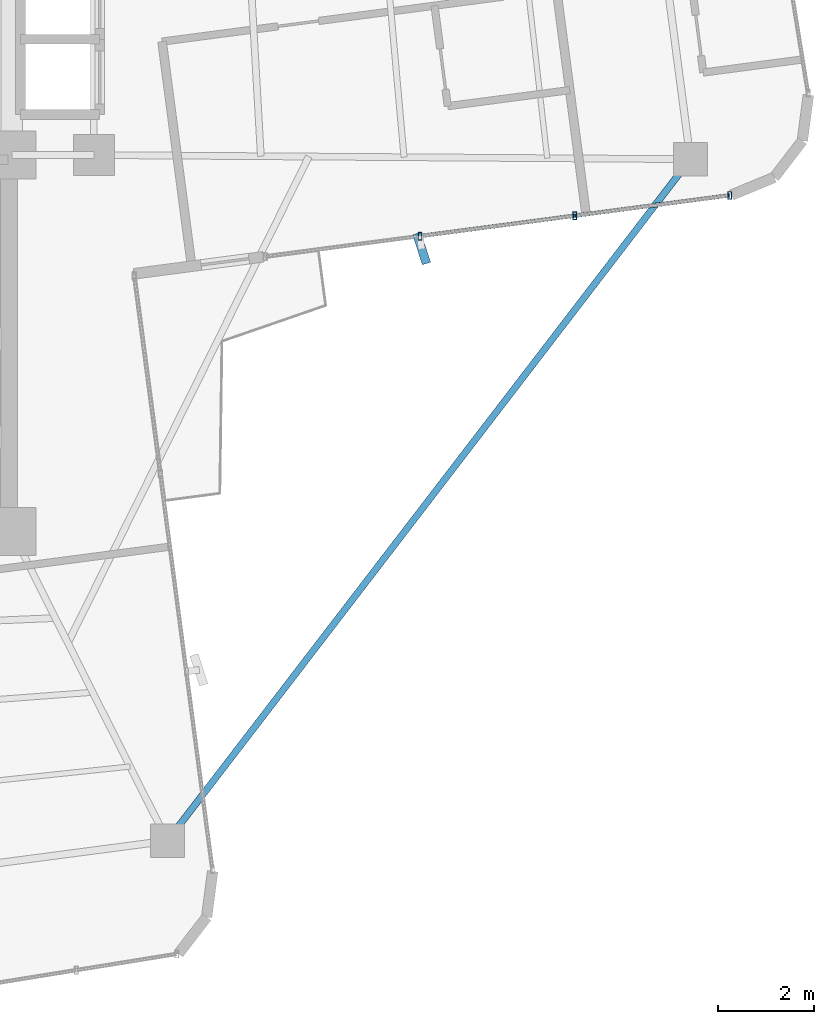
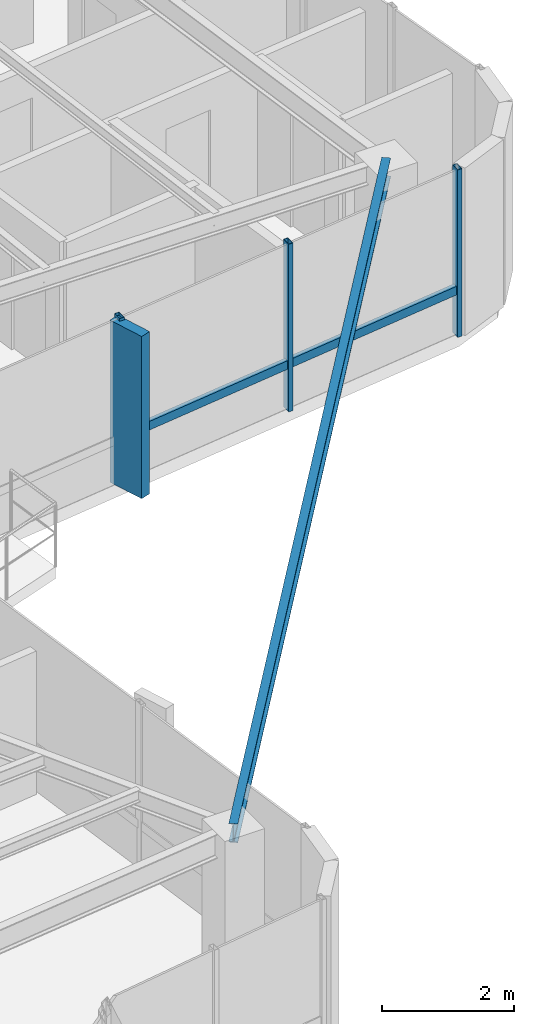
# One storey, part 11 of 21: 6 members, 1 beam, 1 element without a shape of its own.
"""IFC4 building model written with IfcOpenShell, lengths in metres."""

import ifcopenshell
import ifcopenshell.guid

model = None  # the IFC model being written
_history = None  # IfcOwnerHistory: only IFC2X3 demands one
_inside = {}  # id of a spatial element -> (the spatial element, [elements in it])
_under = {}  # id of a project, library or spatial element -> (it, [spatial elements below it])
_declared = {}  # id of a project -> (the project, [libraries it declares])
_typed = {}  # id of a type object -> (the type object, [elements of that type])
_made_of = {}  # id of a material, layer set ... -> (it, [elements and type objects made of it])


def new_model(schema):
    """Start an empty IFC model of exactly this schema.

    Asked for "IFC4X3", IfcOpenShell would pick the latest addendum, in which some entities
    have other attributes; the version numbers below select the first issue.
    IFC2X3 requires an IfcOwnerHistory on every rooted entity: one is made here for all.
    """
    global model, _history
    if schema == "IFC4X3":
        model = ifcopenshell.file(schema_version=(4, 3, 0, 0))
    else:
        model = ifcopenshell.file(schema=schema)
    _inside.clear()
    _under.clear()
    _declared.clear()
    _typed.clear()
    _made_of.clear()
    _history = None
    if model.schema == "IFC2X3":
        org = make("IfcOrganization", Name="unknown")
        user = make(
            "IfcPersonAndOrganization",
            ThePerson=make("IfcPerson", FamilyName="unknown"),
            TheOrganization=org,
        )
        app = make(
            "IfcApplication",
            ApplicationDeveloper=org,
            Version="unknown",
            ApplicationFullName="unknown",
            ApplicationIdentifier="unknown",
        )
        _history = make(
            "IfcOwnerHistory",
            OwningUser=user,
            OwningApplication=app,
            ChangeAction="ADDED",
            CreationDate=0,
        )
    return model


def make(cls, **values):
    """One entity of the class cls with the attributes given. An attribute that is None is left unset."""
    return model.create_entity(
        cls, **{name: value for name, value in values.items() if value is not None}
    )


def rooted(cls, **values):
    """An entity with a GlobalId (a new one), such as an element, a storey or a relation."""
    return make(cls, GlobalId=ifcopenshell.guid.new(), OwnerHistory=_history, **values)


def si_unit(unit_type, name, prefix=None):
    """IfcSIUnit, for example si_unit("LENGTHUNIT", "METRE", prefix="MILLI")."""
    return make("IfcSIUnit", UnitType=unit_type, Prefix=prefix, Name=name)


def assignment(units):
    """IfcUnitAssignment: the units of a project."""
    return None if units is None else make("IfcUnitAssignment", Units=units)


def point(xyz):
    """IfcCartesianPoint."""
    return None if xyz is None else make("IfcCartesianPoint", Coordinates=xyz)


def direction(xyz):
    """IfcDirection."""
    return None if xyz is None else make("IfcDirection", DirectionRatios=xyz)


def frame(location, z_axis=None, x_axis=None):
    """IfcAxis2Placement3D, a coordinate frame: its origin and axes. An axis left out is left unset."""
    return make(
        "IfcAxis2Placement3D",
        Location=point(location),
        Axis=direction(z_axis),
        RefDirection=direction(x_axis),
    )


def frame_2d(location, x_axis=None):
    """IfcAxis2Placement2D, a coordinate frame in the plane: its origin and x axis."""
    return make(
        "IfcAxis2Placement2D", Location=point(location), RefDirection=direction(x_axis)
    )


def origin():
    """The frame at (0, 0, 0) with its axes left unset."""
    return frame((0.0, 0.0, 0.0))


def origin_2d():
    """The frame at (0, 0) in the plane with its x axis left unset."""
    return frame_2d((0.0, 0.0))


def place(relative_to, where):
    """IfcLocalPlacement: puts the frame where relative to a parent placement (None: the world)."""
    return make(
        "IfcLocalPlacement", PlacementRelTo=relative_to, RelativePlacement=where
    )


def context(
    kind, dimensions, precision=None, world=None, true_north=None, identifier=None
):
    """IfcGeometricRepresentationContext, for example the 3D "Model" context."""
    return make(
        "IfcGeometricRepresentationContext",
        ContextIdentifier=identifier,
        ContextType=kind,
        CoordinateSpaceDimension=dimensions,
        Precision=precision,
        WorldCoordinateSystem=world,
        TrueNorth=true_north,
    )


def subcontext(parent, identifier, kind, view, scale=None):
    """IfcGeometricRepresentationSubContext, for example "Body" below "Model"."""
    return make(
        "IfcGeometricRepresentationSubContext",
        ContextIdentifier=identifier,
        ContextType=kind,
        ParentContext=parent,
        TargetScale=scale,
        TargetView=view,
    )


def project(units=None, contexts=None):
    """IfcProject with its units and contexts."""
    return rooted(
        "IfcProject",
        Name="project",
        RepresentationContexts=contexts,
        UnitsInContext=assignment(units),
    )


def spatial(cls, under=None, at=None, **own):
    """A site, building, storey or space (cls), placed at a placement, below another one or the project."""
    s = rooted(cls, ObjectPlacement=at, **own)
    if under is not None:
        _under.setdefault(under.id(), (under, []))[1].append(s)
    return s


def profile(cls, at=None, kind="AREA", **sizes):
    """A parametric profile (cls). Its sizes go by their IFC names, for example OverallWidth=200.0."""
    return make(cls, ProfileType=kind, Position=at, **sizes)


def rectangle(**sizes):
    """IfcRectangleProfileDef."""
    return profile("IfcRectangleProfileDef", **sizes)


def hollow_rectangle(**sizes):
    """IfcRectangleHollowProfileDef."""
    return profile("IfcRectangleHollowProfileDef", **sizes)


def i_section(**sizes):
    """IfcIShapeProfileDef."""
    return profile("IfcIShapeProfileDef", **sizes)


def extrude(swept, where, along, depth):
    """IfcExtrudedAreaSolid: the profile swept, set in the frame where, extruded along a direction by depth."""
    return make(
        "IfcExtrudedAreaSolid",
        SweptArea=swept,
        Position=where,
        ExtrudedDirection=direction(along),
        Depth=depth,
    )


def shape(context_of_items, identifier, shape_type, items):
    """IfcShapeRepresentation: the items that make up one representation, for example the "Body"."""
    return make(
        "IfcShapeRepresentation",
        ContextOfItems=context_of_items,
        RepresentationIdentifier=identifier,
        RepresentationType=shape_type,
        Items=items,
    )


def source(mapping_origin, context_of_items, identifier, shape_type, items):
    """IfcRepresentationMap: a shape defined once, which mapped items show again and again."""
    return make(
        "IfcRepresentationMap",
        MappingOrigin=mapping_origin,
        MappedRepresentation=shape(context_of_items, identifier, shape_type, items),
    )


def transform(
    local_origin,
    x_axis=None,
    y_axis=None,
    z_axis=None,
    scale=None,
    scale2=None,
    scale3=None,
    uniform=True,
):
    """IfcCartesianTransformationOperator3D, or its non-uniform kind. x_axis, y_axis, z_axis: its Axis1, 2, 3."""
    if uniform:
        return make(
            "IfcCartesianTransformationOperator3D",
            Axis1=direction(x_axis),
            Axis2=direction(y_axis),
            LocalOrigin=point(local_origin),
            Scale=scale,
            Axis3=direction(z_axis),
        )
    return make(
        "IfcCartesianTransformationOperator3DnonUniform",
        Axis1=direction(x_axis),
        Axis2=direction(y_axis),
        LocalOrigin=point(local_origin),
        Scale=scale,
        Axis3=direction(z_axis),
        Scale2=scale2,
        Scale3=scale3,
    )


def mapped(mapping_source, mapping_target):
    """IfcMappedItem: shows the shape of a source again, moved by a transform."""
    return make(
        "IfcMappedItem", MappingSource=mapping_source, MappingTarget=mapping_target
    )


def material(Name=None, Category=None):
    """IfcMaterial."""
    return make("IfcMaterial", Name=Name, Category=Category)


def material_profile(
    of_material, cross_section, Name=None, Category=None, Priority=None
):
    """IfcMaterialProfile: a cross section and its material."""
    return make(
        "IfcMaterialProfile",
        Name=Name,
        Material=of_material,
        Profile=cross_section,
        Priority=Priority,
        Category=Category,
    )


def profile_set(profiles, Name=None, composite=None):
    """IfcMaterialProfileSet."""
    return make(
        "IfcMaterialProfileSet",
        Name=Name,
        MaterialProfiles=profiles,
        CompositeProfile=composite,
    )


def made_of(thing, what):
    """Note that an element or type object is made of a material, layer set ...; save() writes the relation."""
    if what is not None:
        _made_of.setdefault(what.id(), (what, []))[1].append(thing)
    return thing


def type_object(cls, material=None, **own):
    """A type object (cls), such as IfcWallType, which elements share."""
    return made_of(rooted(cls, **own), material)


def element(
    cls,
    number,
    at=None,
    inside=None,
    cuts=None,
    type_object=None,
    material=None,
    context=None,
    identifier="Body",
    shape_type=None,
    held_by="IfcProductDefinitionShape",
    body=None,
    shapes=None,
    **own,
):
    """One element of the class cls, such as IfcWall. Its Tag is "e" and its number.

    at: its placement. inside: the storey or other place that contains it. cuts: it is an
    opening in that element (IfcRelVoidsElement). A single representation is given by context,
    identifier, shape_type and body (its items); several are given by shapes. held_by: the class
    of the entity that holds the representations. save() writes the other relations.
    """
    e = rooted(cls, Tag="e%d" % number, ObjectPlacement=at, **own)
    if body is not None:
        shapes = [shape(context, identifier, shape_type, body)]
    if shapes is not None:
        e.Representation = make(held_by, Representations=shapes)
    if inside is not None:
        _inside.setdefault(inside.id(), (inside, []))[1].append(e)
    if cuts is not None:
        rooted(
            "IfcRelVoidsElement", RelatingBuildingElement=cuts, RelatedOpeningElement=e
        )
    if type_object is not None:
        _typed.setdefault(type_object.id(), (type_object, []))[1].append(e)
    return made_of(e, material)


def aggregate(whole, parts):
    """IfcRelAggregates: a whole, such as a stair, and the parts it consists of."""
    return rooted("IfcRelAggregates", RelatingObject=whole, RelatedObjects=parts)


def save(model, path):
    """Write the relations noted so far, then the file.

    IfcRelAggregates (storeys below a building ...), IfcRelContainedInSpatialStructure (elements
    in a storey), IfcRelDefinesByType, IfcRelAssociatesMaterial and IfcRelDeclares: one each for
    every whole, place, type object, material and project.
    """
    for whole, parts in _under.values():
        aggregate(whole, parts)
    for where, things in _inside.values():
        rooted(
            "IfcRelContainedInSpatialStructure",
            RelatedElements=things,
            RelatingStructure=where,
        )
    for kind, things in _typed.values():
        rooted("IfcRelDefinesByType", RelatedObjects=things, RelatingType=kind)
    for what, things in _made_of.values():
        rooted("IfcRelAssociatesMaterial", RelatedObjects=things, RelatingMaterial=what)
    for by, libraries in _declared.values():
        rooted("IfcRelDeclares", RelatingContext=by, RelatedDefinitions=libraries)
    model.write(path)


model = new_model("IFC4")

# Units and contexts
model_context = context("Model", 3, precision=1e-05, world=origin(), true_north=direction((0.0, 1.0)))
body_context = subcontext(model_context, "Body", "Model", "MODEL_VIEW")
ifc_project = project(units=[si_unit("LENGTHUNIT", "METRE"), si_unit("AREAUNIT", "SQUARE_METRE"), si_unit("VOLUMEUNIT", "CUBIC_METRE"), si_unit("PLANEANGLEUNIT", "RADIAN"), si_unit("MASSUNIT", "GRAM", prefix="KILO")], contexts=[model_context])

# Site, building, storey
site_placement = place(None, origin())
site = spatial("IfcSite", under=ifc_project, at=site_placement, CompositionType="ELEMENT")
building_placement = place(site_placement, origin())
building = spatial("IfcBuilding", under=site, at=building_placement, Name="Sahyath Konkavel Grand Hotel", CompositionType="ELEMENT")
storey_placement = place(building_placement, frame((0.0, 0.0, 219.89990234375)))
storey = spatial("IfcBuildingStorey", under=building, at=storey_placement, Name="L61", CompositionType="ELEMENT", Elevation=219.89990234375)

# Beam
ifc_material_1 = material(Name="Steel E350", Category="steel")
ifc_material_profile_1 = material_profile(ifc_material_1, i_section(OverallWidth=0.139892578125, OverallDepth=0.35009765625, WebThickness=0.008056640625, FlangeThickness=0.01416015625, FilletRadius=0.013916015625, at=origin_2d()), Name="ISMB 350")
ifc_profile_set_1 = profile_set([ifc_material_profile_1], Name="Steel E350")
beam_type = type_object("IfcBeamType", Name="BM-ISMB350", PredefinedType="BEAM", material=ifc_profile_set_1)
shared_shape_1 = source(origin(), body_context, "Body", "SweptSolid", [
    extrude(i_section(OverallWidth=0.139892578125, OverallDepth=0.35009765625, WebThickness=0.008056640625, FlangeThickness=0.01416015625, FilletRadius=0.013916015625, at=origin_2d()), origin(), (0.0, 0.0, 1.0), 17.806396484375),
])
beam_placement = place(storey_placement, frame((17.8642578125, -2.485595703125, 2.93505859375), z_axis=(-0.608762796777, -0.793352290764, 0.0), x_axis=(0.793352290764, -0.608762796777, 0.0)))
element("IfcBeam", 1, at=beam_placement, inside=storey, type_object=beam_type, Name="L61 Re-Entrant Tie Beam SE", PredefinedType="BEAM", context=body_context, shape_type="MappedRepresentation", body=[
    mapped(shared_shape_1, transform((0.0, 0.0, 0.0), scale=1.0)),
])

# Curtain wall, members
ifc_material_2 = material(Name="Anodised Bronze Aluminium & Low-E Glazing", Category="aluminium")
curtain_wall_type = type_object("IfcCurtainWallType", Name="CW-ZONE4", PredefinedType="NOTDEFINED", material=ifc_material_2)
curtain_wall_placement = place(storey_placement, origin())
curtain_wall = element("IfcCurtainWall", 2, at=curtain_wall_placement, inside=storey, type_object=curtain_wall_type, Name="L61 Unitised Curtain Wall F0", PredefinedType="NOTDEFINED")
ifc_material_3 = material(Name="Warm Buff Sandstone Cladding on Concrete C50/60", Category="masonry")
ifc_material_profile_2 = material_profile(ifc_material_3, rectangle(XDim=0.179931640625, YDim=0.64990234375, at=origin_2d()), Name="FIN 180x650")
ifc_profile_set_2 = profile_set([ifc_material_profile_2], Name="Warm Buff Sandstone Cladding on Concrete C50/60")
member_type_1 = type_object("IfcMemberType", Name="FIN-SANDSTONE-650", PredefinedType="MULLION", material=ifc_profile_set_2)
shared_shape_2 = source(origin(), body_context, "Body", "SweptSolid", [
    extrude(rectangle(XDim=0.179931640625, YDim=0.64990234375, at=origin_2d()), origin(), (0.0, 0.0, 1.0), 3.010009765625),
])
member_1_placement = place(storey_placement, frame((12.29443359375, -4.33837890625, 0.050048828125), z_axis=(0.0, 0.0, 1.0), x_axis=(0.951487058208, 0.307688768178, 0.0)))
member_1 = element("IfcMember", 3, at=member_1_placement, type_object=member_type_1, Name="L61 Sandstone Vertical Solar Fin FIN F0-1", PredefinedType="MULLION", context=body_context, shape_type="MappedRepresentation", body=[
    mapped(shared_shape_2, transform((0.0, 0.0, 0.0), scale=1.0)),
])
ifc_material_4 = material(Name="Anodised Bronze Aluminium", Category="aluminium")
ifc_material_profile_3 = material_profile(ifc_material_4, hollow_rectangle(XDim=0.080078125, YDim=0.159912109375, WallThickness=0.006103515625, at=origin_2d()), Name="RHS 160x80x6")
ifc_profile_set_3 = profile_set([ifc_material_profile_3], Name="Anodised Bronze Aluminium")
member_type_2 = type_object("IfcMemberType", Name="CW-MUL-160", PredefinedType="MULLION", material=ifc_profile_set_3)
shared_shape_3 = source(origin(), body_context, "Body", "SweptSolid", [
    extrude(hollow_rectangle(XDim=0.080078125, YDim=0.159912109375, WallThickness=0.006103515625, at=origin_2d()), origin(), (0.0, 0.0, 1.0), 3.110107421875),
])
member_2_placement = place(storey_placement, frame((12.260498046875, -4.08056640625, 0.0), z_axis=(0.0, 0.0, 1.0), x_axis=(1.0, 0.0, 0.0)))
member_2 = element("IfcMember", 4, at=member_2_placement, type_object=member_type_2, Name="L61 Curtain Wall Mullion F0-1", PredefinedType="MULLION", context=body_context, shape_type="MappedRepresentation", body=[
    mapped(shared_shape_3, transform((0.0, 0.0, 0.0), scale=1.0)),
])
member_3_placement = place(storey_placement, frame((15.4697265625, -3.657958984375, 0.0), z_axis=(0.0, 0.0, 1.0), x_axis=(1.0, 0.0, 0.0)))
member_3 = element("IfcMember", 5, at=member_3_placement, type_object=member_type_2, Name="L61 Curtain Wall Mullion F0-2", PredefinedType="MULLION", context=body_context, shape_type="MappedRepresentation", body=[
    mapped(shared_shape_3, transform((0.0, 0.0, 0.0), scale=1.0)),
])
member_4_placement = place(storey_placement, frame((18.67919921875, -3.235595703125, 0.0), z_axis=(0.0, 0.0, 1.0), x_axis=(1.0, 0.0, 0.0)))
member_4 = element("IfcMember", 6, at=member_4_placement, type_object=member_type_2, Name="L61 Curtain Wall Mullion F0-3", PredefinedType="MULLION", context=body_context, shape_type="MappedRepresentation", body=[
    mapped(shared_shape_3, transform((0.0, 0.0, 0.0), scale=1.0)),
])
ifc_material_profile_4 = material_profile(ifc_material_4, hollow_rectangle(XDim=0.080078125, YDim=0.159912109375, WallThickness=0.006103515625, at=origin_2d()), Name="RHS 160x80x6")
ifc_profile_set_4 = profile_set([ifc_material_profile_4], Name="Anodised Bronze Aluminium")
member_type_3 = type_object("IfcMemberType", Name="CW-TRN-160", PredefinedType="USERDEFINED", material=ifc_profile_set_4)
shared_shape_4 = source(origin(), body_context, "Body", "SweptSolid", [
    extrude(hollow_rectangle(XDim=0.080078125, YDim=0.159912109375, WallThickness=0.006103515625, at=origin_2d()), origin(), (0.0, 0.0, 1.0), 3.23681640625),
])
member_5_placement = place(storey_placement, frame((12.260498046875, -4.08056640625, 0.85009765625), z_axis=(0.991440684158, 0.130557917404, 0.0), x_axis=(-0.130557917404, 0.991440684158, 0.0)))
member_5 = element("IfcMember", 7, at=member_5_placement, type_object=member_type_3, Name="L61 Curtain Wall Transom F0-1-spandrel", ObjectType="TRANSOM", PredefinedType="USERDEFINED", context=body_context, shape_type="MappedRepresentation", body=[
    mapped(shared_shape_4, transform((0.0, 0.0, 0.0), scale=1.0)),
])
shared_shape_5 = source(origin(), body_context, "Body", "SweptSolid", [
    extrude(hollow_rectangle(XDim=0.080078125, YDim=0.159912109375, WallThickness=0.006103515625, at=origin_2d()), origin(), (0.0, 0.0, 1.0), 3.237060546875),
])
member_6_placement = place(storey_placement, frame((15.4697265625, -3.657958984375, 0.85009765625), z_axis=(0.991451728349, 0.130474021759, 0.0), x_axis=(-0.130474021759, 0.991451728349, 0.0)))
member_6 = element("IfcMember", 8, at=member_6_placement, type_object=member_type_3, Name="L61 Curtain Wall Transom F0-2-spandrel", ObjectType="TRANSOM", PredefinedType="USERDEFINED", context=body_context, shape_type="MappedRepresentation", body=[
    mapped(shared_shape_5, transform((0.0, 0.0, 0.0), scale=1.0)),
])
aggregate(curtain_wall, [member_2, member_1, member_3, member_4, member_5, member_6])

save(model, "model.ifc")
